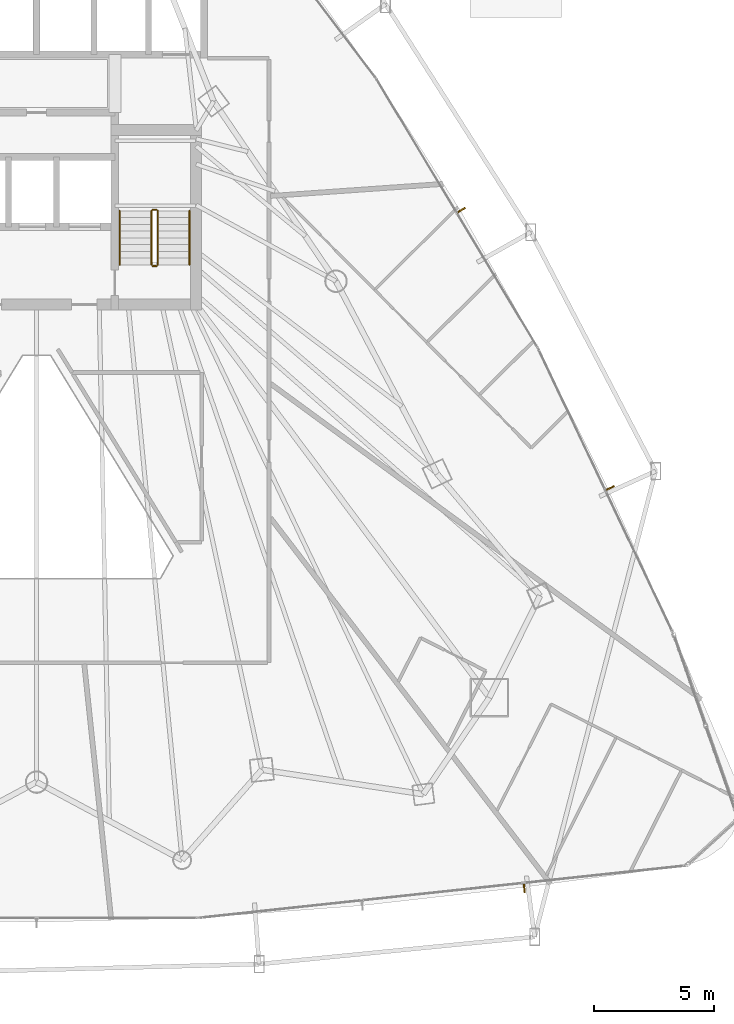
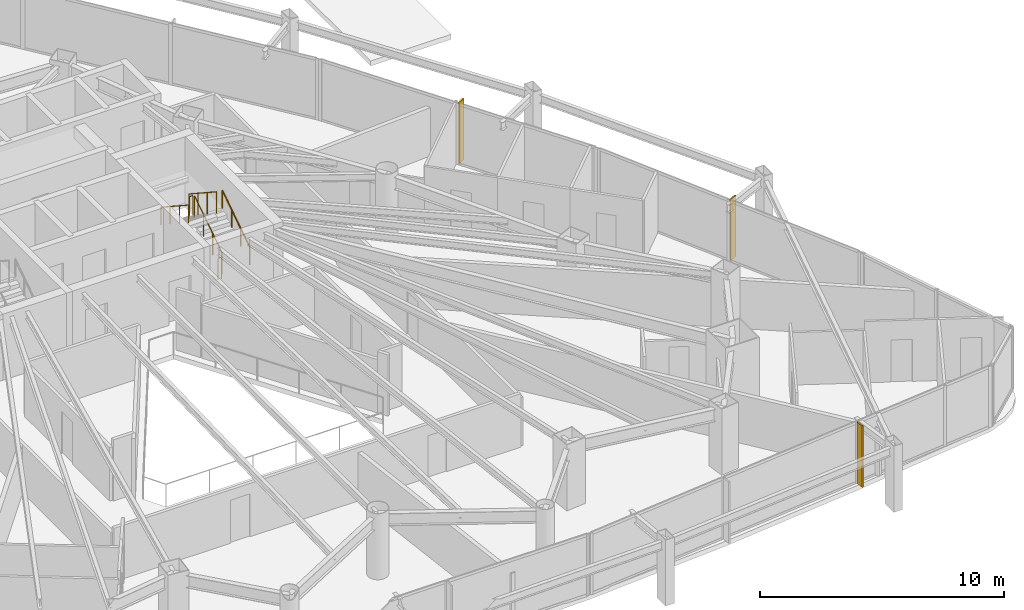
# One storey, part 34 of 35: 6 railings, 3 shading devices.
"""IFC4 building model written with IfcOpenShell, lengths in metres."""

from ifc_helpers import new_model, si_unit, direction, frame, origin, origin_2d, place, context, subcontext, project, spatial, rectangle, circle, extrude, material, layer, layer_set, type_object, element, save


model = new_model("IFC4")

# Units and contexts
model_context = context("Model", 3, precision=1e-05, world=origin(), true_north=direction((0.0, 1.0)))
body_context = subcontext(model_context, "Body", "Model", "MODEL_VIEW")
ifc_project = project(units=[si_unit("LENGTHUNIT", "METRE"), si_unit("AREAUNIT", "SQUARE_METRE"), si_unit("VOLUMEUNIT", "CUBIC_METRE"), si_unit("PLANEANGLEUNIT", "RADIAN"), si_unit("MASSUNIT", "GRAM", prefix="KILO")], contexts=[model_context])

# Site, building, storey
site_placement = place(None, origin())
site = spatial("IfcSite", under=ifc_project, at=site_placement, CompositionType="ELEMENT")
building_placement = place(site_placement, origin())
building = spatial("IfcBuilding", under=site, at=building_placement, Name="Orvanel Arch Residences", CompositionType="ELEMENT")
storey_placement = place(building_placement, frame((0.0, 0.0, 26.89990234375)))
storey = spatial("IfcBuildingStorey", under=building, at=storey_placement, Name="L06", CompositionType="ELEMENT", Elevation=26.89990234375)

# Shading devices
ifc_material_1 = material(Name="Bronze-anodised aluminium AA6063-T6", Category="aluminium")
ifc_layer = layer(ifc_material_1, 0.06005859375)
ifc_layer_set = layer_set([ifc_layer], Name="Bronze-anodised aluminium AA6063-T6")
shading_device_type = type_object("IfcShadingDeviceType", Name="FIN-BRZ-380", PredefinedType="USERDEFINED", material=ifc_layer_set)
for number, where, z_axis, x_axis, name in (
    (1, (53.2490234375, 2.43505859375, 0.0), (0.0, 0.0, 1.0), (0.106264071336, -0.994337944133, 0.0), "L06 Anodised Bronze Mullion FIN 02"),
    (2, (56.81494140625, 19.052978515625, 0.0), (0.0, 0.0, 1.0), (0.903335292863, 0.428935133403, 0.0), "L06 Anodised Bronze Mullion FIN 01"),
    (3, (50.635986328125, 30.591064453125, 0.0), (0.0, 0.0, 1.0), (0.857167300702, 0.51503807491, 0.0), "L06 Anodised Bronze Mullion FIN 01"),
):
    element("IfcShadingDevice", number, at=place(storey_placement, frame(where, z_axis=z_axis, x_axis=x_axis)), inside=storey, type_object=shading_device_type, Name=name, ObjectType="FIN", PredefinedType="USERDEFINED", context=body_context, shape_type="SweptSolid", body=[
        extrude(rectangle(XDim=0.3798828125, YDim=0.06005859375, at=origin_2d()), origin(), (0.0, 0.0, 1.0), 3.06005859375),
    ])

# Railings
ifc_material_2 = material(Name="Structural steel AS/NZS 1163 C350L0 (Grade 350)", Category="steel")
railing_type_1 = type_object("IfcRailingType", Name="RL-STAIR-GUARD", PredefinedType="GUARDRAIL", material=ifc_material_2)
railing_1_placement = place(storey_placement, frame((38.030029296875, 28.320068359375, 0.183349609375)))
element("IfcRailing", 4, at=railing_1_placement, inside=storey, type_object=railing_type_1, Name="L06 ST-2 stair guard 1", PredefinedType="GUARDRAIL", context=body_context, shape_type="SweptSolid", body=[
    extrude(circle(Radius=0.02392578125, at=origin_2d()), frame((0.0, 0.001220703125, 1.076904296875), z_axis=(0.0, 0.836595146698, 0.547821650285), x_axis=(-1.0, 0.0, 0.0)), (0.0, 0.0, 1.0), 2.674560546875),
    extrude(circle(Radius=0.02099609375, at=origin_2d()), origin(), (0.0, 0.0, 1.0), 1.050048828125),
    extrude(circle(Radius=0.02099609375, at=origin_2d()), frame((0.0, 0.74658203125, 0.489013671875)), (0.0, 0.0, 1.0), 1.050048828125),
    extrude(circle(Radius=0.02099609375, at=origin_2d()), frame((0.0, 1.493408203125, 0.977783203125)), (0.0, 0.0, 1.0), 1.050048828125),
    extrude(circle(Radius=0.02099609375, at=origin_2d()), frame((0.0, 2.239990234375, 1.466796875)), (0.0, 0.0, 1.0), 1.050048828125),
])
railing_2_placement = place(storey_placement, frame((37.97998046875, 30.610107421875, 1.650146484375)))
element("IfcRailing", 5, at=railing_2_placement, inside=storey, type_object=railing_type_1, Name="L06 ST-2 stair guard 2", PredefinedType="GUARDRAIL", context=body_context, shape_type="SweptSolid", body=[
    extrude(circle(Radius=0.02392578125, at=origin_2d()), frame((-0.00146484375, 0.0, 1.076171875), z_axis=(-1.0, 0.0, 0.0), x_axis=(0.0, -1.0, 0.0)), (0.0, 0.0, 1.0), 0.156982421875),
    extrude(circle(Radius=0.02099609375, at=origin_2d()), origin(), (0.0, 0.0, 1.0), 1.050048828125),
    extrude(circle(Radius=0.02099609375, at=origin_2d()), frame((-0.159912109375, 0.0, 0.0)), (0.0, 0.0, 1.0), 1.050048828125),
])
railing_3_placement = place(storey_placement, frame((37.77001953125, 30.56005859375, 1.83349609375)))
element("IfcRailing", 6, at=railing_3_placement, inside=storey, type_object=railing_type_1, Name="L06 ST-2 stair guard 3", PredefinedType="GUARDRAIL", context=body_context, shape_type="SweptSolid", body=[
    extrude(circle(Radius=0.02392578125, at=origin_2d()), frame((0.0, -0.001220703125, 1.076904296875), z_axis=(0.0, -0.836636935527, 0.547757827979), x_axis=(1.0, 0.0, 0.0)), (0.0, 0.0, 1.0), 2.67431640625),
    extrude(circle(Radius=0.02099609375, at=origin_2d()), origin(), (0.0, 0.0, 1.0), 1.050048828125),
    extrude(circle(Radius=0.02099609375, at=origin_2d()), frame((0.0, -0.74658203125, 0.48876953125)), (0.0, 0.0, 1.0), 1.050048828125),
    extrude(circle(Radius=0.02099609375, at=origin_2d()), frame((0.0, -1.493408203125, 0.977783203125)), (0.0, 0.0, 1.0), 1.050048828125),
    extrude(circle(Radius=0.02099609375, at=origin_2d()), frame((0.0, -2.239990234375, 1.466552734375)), (0.0, 0.0, 1.0), 1.050048828125),
])
railing_4_placement = place(storey_placement, frame((37.97998046875, 28.27001953125, 0.0)))
element("IfcRailing", 7, at=railing_4_placement, inside=storey, type_object=railing_type_1, Name="L06 ST-2 stair guard 4", PredefinedType="GUARDRAIL", context=body_context, shape_type="SweptSolid", body=[
    extrude(circle(Radius=0.02392578125, at=origin_2d()), frame((-0.00146484375, 0.0, 1.076171875), z_axis=(-1.0, 0.0, 0.0), x_axis=(0.0, -1.0, 0.0)), (0.0, 0.0, 1.0), 0.156982421875),
    extrude(circle(Radius=0.02099609375, at=origin_2d()), origin(), (0.0, 0.0, 1.0), 1.050048828125),
    extrude(circle(Radius=0.02099609375, at=origin_2d()), frame((-0.159912109375, 0.0, 0.0)), (0.0, 0.0, 1.0), 1.050048828125),
])
railing_type_2 = type_object("IfcRailingType", Name="RL-STAIR-HAND", PredefinedType="HANDRAIL", material=ifc_material_2)
railing_5_placement = place(storey_placement, frame((39.35009765625, 28.320068359375, 0.183349609375)))
element("IfcRailing", 8, at=railing_5_placement, inside=storey, type_object=railing_type_2, Name="L06 ST-2 stair handrail 1", PredefinedType="HANDRAIL", context=body_context, shape_type="SweptSolid", body=[
    extrude(circle(Radius=0.02392578125, at=origin_2d()), frame((0.0, 0.001220703125, 0.876708984375), z_axis=(0.0, 0.836595146698, 0.547821650285), x_axis=(-1.0, 0.0, 0.0)), (0.0, 0.0, 1.0), 2.674560546875),
    extrude(circle(Radius=0.02099609375, at=origin_2d()), origin(), (0.0, 0.0, 1.0), 0.849853515625),
    extrude(circle(Radius=0.02099609375, at=origin_2d()), frame((0.0, 0.74658203125, 0.489013671875)), (0.0, 0.0, 1.0), 0.849853515625),
    extrude(circle(Radius=0.02099609375, at=origin_2d()), frame((0.0, 1.493408203125, 0.977783203125)), (0.0, 0.0, 1.0), 0.849853515625),
    extrude(circle(Radius=0.02099609375, at=origin_2d()), frame((0.0, 2.239990234375, 1.466796875)), (0.0, 0.0, 1.0), 0.849853515625),
])
railing_6_placement = place(storey_placement, frame((36.449951171875, 30.56005859375, 1.83349609375)))
element("IfcRailing", 9, at=railing_6_placement, inside=storey, type_object=railing_type_2, Name="L06 ST-2 stair handrail 2", PredefinedType="HANDRAIL", context=body_context, shape_type="SweptSolid", body=[
    extrude(circle(Radius=0.02392578125, at=origin_2d()), frame((0.0, -0.001220703125, 0.876708984375), z_axis=(0.0, -0.836636935527, 0.547757827979), x_axis=(1.0, 0.0, 0.0)), (0.0, 0.0, 1.0), 2.67431640625),
    extrude(circle(Radius=0.02099609375, at=origin_2d()), origin(), (0.0, 0.0, 1.0), 0.849853515625),
    extrude(circle(Radius=0.02099609375, at=origin_2d()), frame((0.0, -0.74658203125, 0.48876953125)), (0.0, 0.0, 1.0), 0.849853515625),
    extrude(circle(Radius=0.02099609375, at=origin_2d()), frame((0.0, -1.493408203125, 0.977783203125)), (0.0, 0.0, 1.0), 0.849853515625),
    extrude(circle(Radius=0.02099609375, at=origin_2d()), frame((0.0, -2.239990234375, 1.466552734375)), (0.0, 0.0, 1.0), 0.849853515625),
])

save(model, "model.ifc")
